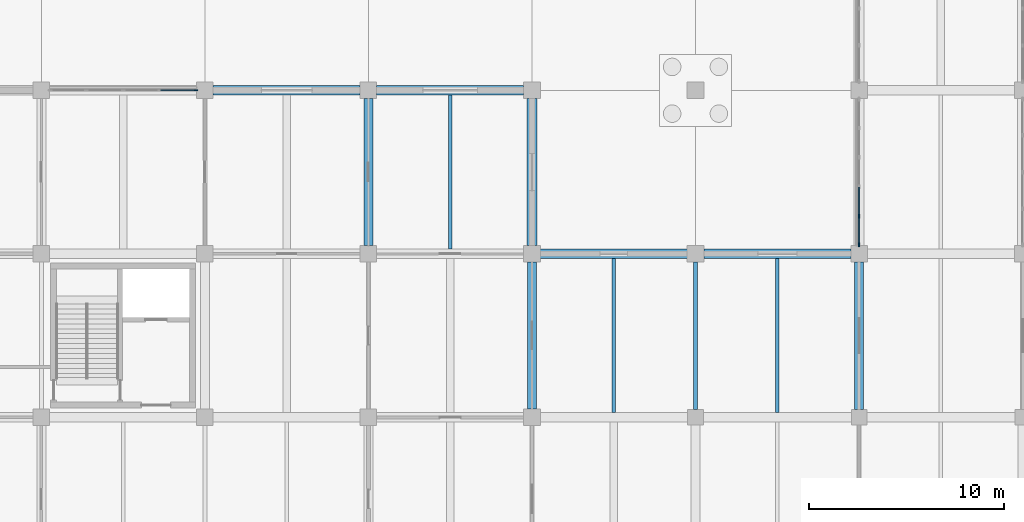
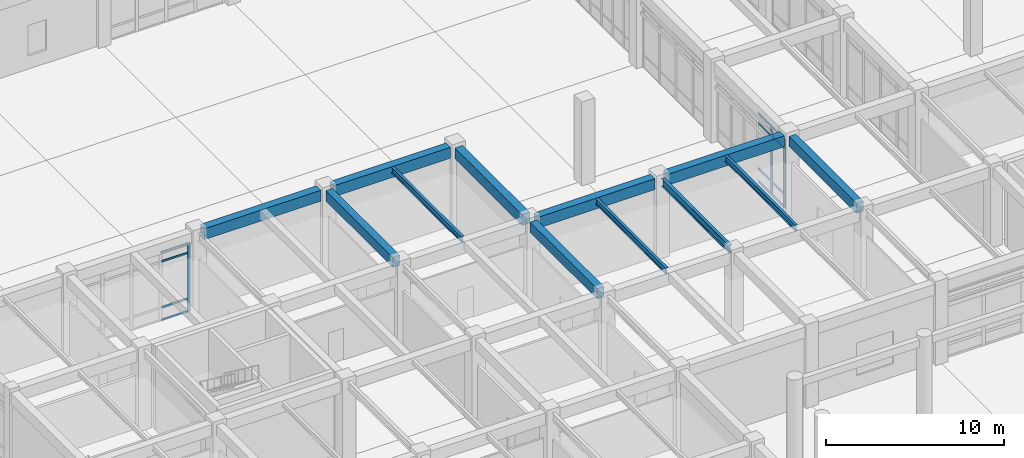
# One storey, part 15 of 91: 15 members, 12 beams, 2 elements without a shape of their own.
"""IFC4 building model written with IfcOpenShell, lengths in metres."""

from ifc_helpers import new_model, si_unit, direction, frame, origin, origin_2d, place, context, subcontext, project, spatial, rectangle, i_section, extrude, material, layer, layer_set, material_profile, profile_set, type_object, element, aggregate, save


model = new_model("IFC4")

# Units and contexts
model_context = context("Model", 3, precision=1e-05, world=origin(), true_north=direction((0.0, 1.0)))
body_context = subcontext(model_context, "Body", "Model", "MODEL_VIEW")
ifc_project = project(units=[si_unit("LENGTHUNIT", "METRE"), si_unit("AREAUNIT", "SQUARE_METRE"), si_unit("VOLUMEUNIT", "CUBIC_METRE"), si_unit("PLANEANGLEUNIT", "RADIAN"), si_unit("MASSUNIT", "GRAM", prefix="KILO")], contexts=[model_context])

# Site, building, storey
site_placement = place(None, origin())
site = spatial("IfcSite", under=ifc_project, at=site_placement, CompositionType="ELEMENT")
building_placement = place(site_placement, origin())
building = spatial("IfcBuilding", under=site, at=building_placement, Name="Porcellanite Civic Hall", CompositionType="ELEMENT")
storey_placement = place(building_placement, origin())
storey = spatial("IfcBuildingStorey", under=building, at=storey_placement, Name="L00", CompositionType="ELEMENT", Elevation=0.0)

# Beams
ifc_material_1 = material(Name="Concrete N50 (50 MPa)", Category="concrete")
ifc_material_profile_1 = material_profile(ifc_material_1, rectangle(XDim=0.449951171875, YDim=0.699951171875, at=origin_2d()), Name="RC-450x700")
ifc_profile_set_1 = profile_set([ifc_material_profile_1], Name="Concrete N50 (50 MPa)")
beam_type_1 = type_object("IfcBeamType", Name="BM-RC700", PredefinedType="BEAM", material=ifc_profile_set_1)
beam_1_placement = place(storey_placement, frame((25.199951171875, 67.62451171875, 5.14990234375), z_axis=(0.0, 1.0, 0.0), x_axis=(-1.0, 0.0, 0.0)))
element("IfcBeam", 1, at=beam_1_placement, inside=storey, type_object=beam_type_1, Name="Beam Y L00 4-9", PredefinedType="BEAM", context=body_context, shape_type="SweptSolid", body=[
    extrude(rectangle(XDim=0.449951171875, YDim=0.699951171875, at=origin_2d()), origin(), (0.0, 0.0, 1.0), 7.551025390625),
])
beam_2_placement = place(storey_placement, frame((33.60009765625, 59.224609375, 5.14990234375), z_axis=(0.0, 1.0, 0.0), x_axis=(-1.0, 0.0, 0.0)))
element("IfcBeam", 2, at=beam_2_placement, inside=storey, type_object=beam_type_1, Name="Beam Y L00 5-8", PredefinedType="BEAM", context=body_context, shape_type="SweptSolid", body=[
    extrude(rectangle(XDim=0.449951171875, YDim=0.699951171875, at=origin_2d()), origin(), (0.0, 0.0, 1.0), 7.55078125),
])
beam_3_placement = place(storey_placement, frame((50.39990234375, 59.199462890625, 5.14990234375), z_axis=(0.0, 1.0, 0.0), x_axis=(-1.0, 0.0, 0.0)))
element("IfcBeam", 3, at=beam_3_placement, inside=storey, type_object=beam_type_1, Name="Beam Y L00 7-8", PredefinedType="BEAM", context=body_context, shape_type="SweptSolid", body=[
    extrude(rectangle(XDim=0.449951171875, YDim=0.699951171875, at=origin_2d()), origin(), (0.0, 0.0, 1.0), 7.575927734375),
])
ifc_material_2 = material(Name="Concrete N50 (50 MPa)", Category="concrete")
ifc_material_profile_2 = material_profile(ifc_material_2, rectangle(XDim=0.5, YDim=0.75, at=origin_2d()), Name="RC-500x750")
ifc_profile_set_2 = profile_set([ifc_material_profile_2], Name="Concrete N50 (50 MPa)")
beam_type_2 = type_object("IfcBeamType", Name="BM-RC750", PredefinedType="SPANDREL", material=ifc_profile_set_2)
beam_4_placement = place(storey_placement, frame((17.224609375, 75.60009765625, 5.125), z_axis=(1.0, 0.0, 0.0), x_axis=(0.0, 1.0, 0.0)))
element("IfcBeam", 4, at=beam_4_placement, inside=storey, type_object=beam_type_2, Name="Beam X L00 3-10", PredefinedType="SPANDREL", context=body_context, shape_type="SweptSolid", body=[
    extrude(rectangle(XDim=0.5, YDim=0.75, at=origin_2d()), origin(), (0.0, 0.0, 1.0), 7.55078125),
])
for number, where, z_axis, x_axis, name in (
    (5, (25.62451171875, 75.60009765625, 5.125), (1.0, 0.0, 0.0), (0.0, 1.0, 0.0), "Beam X L00 4-10"),
    (6, (34.0244140625, 67.199951171875, 5.125), (1.0, 0.0, 0.0), (0.0, 1.0, 0.0), "Beam X L00 5-9"),
    (7, (42.424560546875, 67.199951171875, 5.125), (1.0, 0.0, 0.0), (0.0, 1.0, 0.0), "Beam X L00 6-9"),
    (8, (33.60009765625, 67.62451171875, 5.125), (0.0, 1.0, 0.0), (-1.0, 0.0, 0.0), "Beam Y L00 5-9"),
):
    element("IfcBeam", number, at=place(storey_placement, frame(where, z_axis=z_axis, x_axis=x_axis)), inside=storey, type_object=beam_type_2, Name=name, PredefinedType="SPANDREL", context=body_context, shape_type="SweptSolid", body=[
        extrude(rectangle(XDim=0.5, YDim=0.75, at=origin_2d()), origin(), (0.0, 0.0, 1.0), 7.551025390625),
    ])

# Curtain wall, member
ifc_material_3 = material(Name="Anodised aluminium and solar laminated glass", Category="aluminium")
ifc_layer_1 = layer(ifc_material_3, 0.179931640625)
ifc_layer_set_1 = layer_set([ifc_layer_1], Name="Anodised aluminium and solar laminated glass")
curtain_wall_type_1 = type_object("IfcCurtainWallType", Name="CW-SYS05", PredefinedType="NOTDEFINED", material=ifc_layer_set_1)
curtain_wall_1_placement = place(storey_placement, origin())
curtain_wall_1 = element("IfcCurtainWall", 9, at=curtain_wall_1_placement, inside=storey, type_object=curtain_wall_type_1, Name="Curtain wall CW-007", PredefinedType="NOTDEFINED")
ifc_material_4 = material(Name="Anodised aluminium 6063-T6", Category="aluminium")
ifc_material_profile_3 = material_profile(ifc_material_4, rectangle(XDim=0.070068359375, YDim=0.199951171875, at=origin_2d()), Name="AL-70x200")
ifc_profile_set_3 = profile_set([ifc_material_profile_3], Name="Anodised aluminium 6063-T6")
member_type_1 = type_object("IfcMemberType", Name="CWM-05", PredefinedType="MULLION", material=ifc_profile_set_3)
member_1_placement = place(storey_placement, frame((16.339111328125, 75.60009765625, 0.0), z_axis=(0.0, 0.0, 1.0), x_axis=(0.0, 1.0, 0.0)))
member_1 = element("IfcMember", 10, at=member_1_placement, type_object=member_type_1, Name="CW-007 mullion 5", PredefinedType="MULLION", context=body_context, shape_type="SweptSolid", body=[
    extrude(rectangle(XDim=0.070068359375, YDim=0.199951171875, at=origin_2d()), origin(), (0.0, 0.0, 1.0), 4.699951171875),
])

# Curtain wall, members
ifc_material_5 = material(Name="Anodised aluminium and solar laminated glass", Category="aluminium")
ifc_layer_2 = layer(ifc_material_5, 0.179931640625)
ifc_layer_set_2 = layer_set([ifc_layer_2], Name="Anodised aluminium and solar laminated glass")
curtain_wall_type_2 = type_object("IfcCurtainWallType", Name="CW-SYS01", PredefinedType="NOTDEFINED", material=ifc_layer_set_2)
curtain_wall_2_placement = place(storey_placement, origin())
curtain_wall_2 = element("IfcCurtainWall", 11, at=curtain_wall_2_placement, inside=storey, type_object=curtain_wall_type_2, Name="Curtain wall CW-017", PredefinedType="NOTDEFINED")
member_2_placement = place(storey_placement, frame((50.39990234375, 67.660888671875, 0.0), z_axis=(0.0, 0.0, 1.0), x_axis=(-1.0, 0.0, 0.0)))
member_2 = element("IfcMember", 12, at=member_2_placement, type_object=member_type_1, Name="CW-017 mullion 1", PredefinedType="MULLION", context=body_context, shape_type="SweptSolid", body=[
    extrude(rectangle(XDim=0.070068359375, YDim=0.199951171875, at=origin_2d()), origin(), (0.0, 0.0, 1.0), 4.699951171875),
])
member_3_placement = place(storey_placement, frame((50.39990234375, 69.135498046875, 0.0), z_axis=(0.0, 0.0, 1.0), x_axis=(-1.0, 0.0, 0.0)))
member_3 = element("IfcMember", 13, at=member_3_placement, type_object=member_type_1, Name="CW-017 mullion 2", PredefinedType="MULLION", context=body_context, shape_type="SweptSolid", body=[
    extrude(rectangle(XDim=0.070068359375, YDim=0.199951171875, at=origin_2d()), origin(), (0.0, 0.0, 1.0), 4.699951171875),
])

# Member
ifc_material_6 = material(Name="Anodised aluminium 6063-T6", Category="aluminium")
ifc_material_profile_4 = material_profile(ifc_material_6, rectangle(XDim=0.06005859375, YDim=0.1298828125, at=origin_2d()), Name="AL-60x130")
ifc_profile_set_4 = profile_set([ifc_material_profile_4], Name="Anodised aluminium 6063-T6")
member_type_2 = type_object("IfcMemberType", Name="CWT-03", PredefinedType="USERDEFINED", material=ifc_profile_set_4)
member_4_placement = place(storey_placement, frame((14.52197265625, 75.60009765625, 0.030029296875), z_axis=(1.0, 0.0, 0.0), x_axis=(0.0, 1.0, 0.0)))
member_4 = element("IfcMember", 14, at=member_4_placement, type_object=member_type_2, Name="CW-007 transom 4.1", ObjectType="TRANSOM", PredefinedType="USERDEFINED", context=body_context, shape_type="SweptSolid", body=[
    extrude(rectangle(XDim=0.06005859375, YDim=0.1298828125, at=origin_2d()), origin(), (0.0, 0.0, 1.0), 1.781982421875),
])

member_5_placement = place(storey_placement, frame((14.52197265625, 75.60009765625, 0.89990234375), z_axis=(1.0, 0.0, 0.0), x_axis=(0.0, 1.0, 0.0)))
member_5 = element("IfcMember", 15, at=member_5_placement, type_object=member_type_2, Name="CW-007 transom 4.2", ObjectType="TRANSOM", PredefinedType="USERDEFINED", context=body_context, shape_type="SweptSolid", body=[
    extrude(rectangle(XDim=0.06005859375, YDim=0.1298828125, at=origin_2d()), origin(), (0.0, 0.0, 1.0), 1.781982421875),
])

member_6_placement = place(storey_placement, frame((14.52197265625, 75.60009765625, 4.050048828125), z_axis=(1.0, 0.0, 0.0), x_axis=(0.0, 1.0, 0.0)))
member_6 = element("IfcMember", 16, at=member_6_placement, type_object=member_type_2, Name="CW-007 transom 4.3", ObjectType="TRANSOM", PredefinedType="USERDEFINED", context=body_context, shape_type="SweptSolid", body=[
    extrude(rectangle(XDim=0.06005859375, YDim=0.1298828125, at=origin_2d()), origin(), (0.0, 0.0, 1.0), 1.781982421875),
])

member_7_placement = place(storey_placement, frame((14.52197265625, 75.60009765625, 4.669921875), z_axis=(1.0, 0.0, 0.0), x_axis=(0.0, 1.0, 0.0)))
member_7 = element("IfcMember", 17, at=member_7_placement, type_object=member_type_2, Name="CW-007 transom 4.4", ObjectType="TRANSOM", PredefinedType="USERDEFINED", context=body_context, shape_type="SweptSolid", body=[
    extrude(rectangle(XDim=0.06005859375, YDim=0.1298828125, at=origin_2d()), origin(), (0.0, 0.0, 1.0), 1.781982421875),
])

aggregate(curtain_wall_1, [member_1, member_4, member_5, member_6, member_7])

member_8_placement = place(storey_placement, frame((50.39990234375, 67.696044921875, 0.030029296875), z_axis=(0.0, 1.0, 0.0), x_axis=(-1.0, 0.0, 0.0)))
member_8 = element("IfcMember", 18, at=member_8_placement, type_object=member_type_2, Name="CW-017 transom 1.1", ObjectType="TRANSOM", PredefinedType="USERDEFINED", context=body_context, shape_type="SweptSolid", body=[
    extrude(rectangle(XDim=0.06005859375, YDim=0.1298828125, at=origin_2d()), origin(), (0.0, 0.0, 1.0), 1.404541015625),
])

member_9_placement = place(storey_placement, frame((50.39990234375, 67.696044921875, 0.89990234375), z_axis=(0.0, 1.0, 0.0), x_axis=(-1.0, 0.0, 0.0)))
member_9 = element("IfcMember", 19, at=member_9_placement, type_object=member_type_2, Name="CW-017 transom 1.2", ObjectType="TRANSOM", PredefinedType="USERDEFINED", context=body_context, shape_type="SweptSolid", body=[
    extrude(rectangle(XDim=0.06005859375, YDim=0.1298828125, at=origin_2d()), origin(), (0.0, 0.0, 1.0), 1.404541015625),
])

member_10_placement = place(storey_placement, frame((50.39990234375, 67.696044921875, 4.050048828125), z_axis=(0.0, 1.0, 0.0), x_axis=(-1.0, 0.0, 0.0)))
member_10 = element("IfcMember", 20, at=member_10_placement, type_object=member_type_2, Name="CW-017 transom 1.3", ObjectType="TRANSOM", PredefinedType="USERDEFINED", context=body_context, shape_type="SweptSolid", body=[
    extrude(rectangle(XDim=0.06005859375, YDim=0.1298828125, at=origin_2d()), origin(), (0.0, 0.0, 1.0), 1.404541015625),
])

member_11_placement = place(storey_placement, frame((50.39990234375, 67.696044921875, 4.669921875), z_axis=(0.0, 1.0, 0.0), x_axis=(-1.0, 0.0, 0.0)))
member_11 = element("IfcMember", 21, at=member_11_placement, type_object=member_type_2, Name="CW-017 transom 1.4", ObjectType="TRANSOM", PredefinedType="USERDEFINED", context=body_context, shape_type="SweptSolid", body=[
    extrude(rectangle(XDim=0.06005859375, YDim=0.1298828125, at=origin_2d()), origin(), (0.0, 0.0, 1.0), 1.404541015625),
])

member_12_placement = place(storey_placement, frame((50.39990234375, 69.170654296875, 0.030029296875), z_axis=(0.0, 1.0, 0.0), x_axis=(-1.0, 0.0, 0.0)))
member_12 = element("IfcMember", 22, at=member_12_placement, type_object=member_type_2, Name="CW-017 transom 2.1", ObjectType="TRANSOM", PredefinedType="USERDEFINED", context=body_context, shape_type="SweptSolid", body=[
    extrude(rectangle(XDim=0.06005859375, YDim=0.1298828125, at=origin_2d()), origin(), (0.0, 0.0, 1.0), 1.439453125),
])

member_13_placement = place(storey_placement, frame((50.39990234375, 69.170654296875, 0.89990234375), z_axis=(0.0, 1.0, 0.0), x_axis=(-1.0, 0.0, 0.0)))
member_13 = element("IfcMember", 23, at=member_13_placement, type_object=member_type_2, Name="CW-017 transom 2.2", ObjectType="TRANSOM", PredefinedType="USERDEFINED", context=body_context, shape_type="SweptSolid", body=[
    extrude(rectangle(XDim=0.06005859375, YDim=0.1298828125, at=origin_2d()), origin(), (0.0, 0.0, 1.0), 1.439453125),
])

member_14_placement = place(storey_placement, frame((50.39990234375, 69.170654296875, 4.050048828125), z_axis=(0.0, 1.0, 0.0), x_axis=(-1.0, 0.0, 0.0)))
member_14 = element("IfcMember", 24, at=member_14_placement, type_object=member_type_2, Name="CW-017 transom 2.3", ObjectType="TRANSOM", PredefinedType="USERDEFINED", context=body_context, shape_type="SweptSolid", body=[
    extrude(rectangle(XDim=0.06005859375, YDim=0.1298828125, at=origin_2d()), origin(), (0.0, 0.0, 1.0), 1.439453125),
])

member_15_placement = place(storey_placement, frame((50.39990234375, 69.170654296875, 4.669921875), z_axis=(0.0, 1.0, 0.0), x_axis=(-1.0, 0.0, 0.0)))
member_15 = element("IfcMember", 25, at=member_15_placement, type_object=member_type_2, Name="CW-017 transom 2.4", ObjectType="TRANSOM", PredefinedType="USERDEFINED", context=body_context, shape_type="SweptSolid", body=[
    extrude(rectangle(XDim=0.06005859375, YDim=0.1298828125, at=origin_2d()), origin(), (0.0, 0.0, 1.0), 1.439453125),
])

aggregate(curtain_wall_2, [member_2, member_3, member_8, member_9, member_10, member_11, member_12, member_13, member_14, member_15])

# Beams
ifc_material_7 = material(Name="Steel Grade 350", Category="steel")
ifc_material_profile_5 = material_profile(ifc_material_7, i_section(OverallWidth=0.177978515625, OverallDepth=0.403076171875, WebThickness=0.007568359375, FlangeThickness=0.010986328125, FilletRadius=0.011474609375, at=origin_2d()), Name="410UB53.7")
ifc_profile_set_5 = profile_set([ifc_material_profile_5], Name="Steel Grade 350")
beam_type_3 = type_object("IfcBeamType", Name="JST-410UB54", PredefinedType="JOIST", material=ifc_profile_set_5)
beam_5_placement = place(storey_placement, frame((46.199951171875, 59.049560546875, 5.298583984375), z_axis=(0.0, 1.0, 0.0), x_axis=(-1.0, 0.0, 0.0)))
element("IfcBeam", 26, at=beam_5_placement, inside=storey, type_object=beam_type_3, Name="Secondary joist L00 6-8", PredefinedType="JOIST", context=body_context, shape_type="SweptSolid", body=[
    extrude(i_section(OverallWidth=0.177978515625, OverallDepth=0.403076171875, WebThickness=0.007568359375, FlangeThickness=0.010986328125, FilletRadius=0.011474609375, at=origin_2d()), origin(), (0.0, 0.0, 1.0), 7.90087890625),
])
ifc_material_8 = material(Name="Steel Grade 350", Category="steel")
ifc_material_profile_6 = material_profile(ifc_material_8, i_section(OverallWidth=0.177978515625, OverallDepth=0.406005859375, WebThickness=0.0078125, FlangeThickness=0.0126953125, FilletRadius=0.011474609375, at=origin_2d()), Name="410UB59.7")
ifc_profile_set_6 = profile_set([ifc_material_profile_6], Name="Steel Grade 350")
beam_type_4 = type_object("IfcBeamType", Name="JST-410UB60", PredefinedType="JOIST", material=ifc_profile_set_6)
beam_6_placement = place(storey_placement, frame((29.39990234375, 67.449462890625, 5.297119140625), z_axis=(0.0, 1.0, 0.0), x_axis=(-1.0, 0.0, 0.0)))
element("IfcBeam", 27, at=beam_6_placement, inside=storey, type_object=beam_type_4, Name="Secondary joist L00 4-9", PredefinedType="JOIST", context=body_context, shape_type="SweptSolid", body=[
    extrude(i_section(OverallWidth=0.177978515625, OverallDepth=0.406005859375, WebThickness=0.0078125, FlangeThickness=0.0126953125, FilletRadius=0.011474609375, at=origin_2d()), origin(), (0.0, 0.0, 1.0), 7.901123046875),
])
beam_7_placement = place(storey_placement, frame((37.800048828125, 59.049560546875, 5.297119140625), z_axis=(0.0, 1.0, 0.0), x_axis=(-1.0, 0.0, 0.0)))
element("IfcBeam", 28, at=beam_7_placement, inside=storey, type_object=beam_type_4, Name="Secondary joist L00 5-8", PredefinedType="JOIST", context=body_context, shape_type="SweptSolid", body=[
    extrude(i_section(OverallWidth=0.177978515625, OverallDepth=0.406005859375, WebThickness=0.0078125, FlangeThickness=0.0126953125, FilletRadius=0.011474609375, at=origin_2d()), origin(), (0.0, 0.0, 1.0), 7.90087890625),
])
ifc_material_9 = material(Name="Steel Grade 350", Category="steel")
ifc_material_profile_7 = material_profile(ifc_material_9, i_section(OverallWidth=0.208984375, OverallDepth=0.528076171875, WebThickness=0.009521484375, FlangeThickness=0.01318359375, FilletRadius=0.013916015625, at=origin_2d()), Name="530UB82.0")
ifc_profile_set_7 = profile_set([ifc_material_profile_7], Name="Steel Grade 350")
beam_type_5 = type_object("IfcBeamType", Name="RAF-530UB82", PredefinedType="BEAM", material=ifc_profile_set_7)
beam_8_placement = place(storey_placement, frame((42.0, 59.199462890625, 5.236083984375), z_axis=(0.0, 1.0, 0.0), x_axis=(-1.0, 0.0, 0.0)))
element("IfcBeam", 29, at=beam_8_placement, inside=storey, type_object=beam_type_5, Name="Beam Y L00 6-8", PredefinedType="BEAM", context=body_context, shape_type="SweptSolid", body=[
    extrude(i_section(OverallWidth=0.208984375, OverallDepth=0.528076171875, WebThickness=0.009521484375, FlangeThickness=0.01318359375, FilletRadius=0.013916015625, at=origin_2d()), origin(), (0.0, 0.0, 1.0), 7.575927734375),
])

save(model, "model.ifc")
